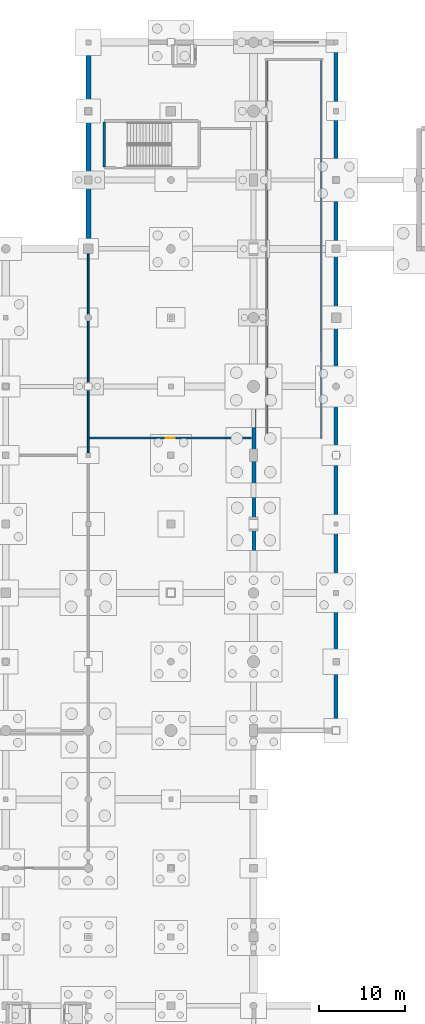
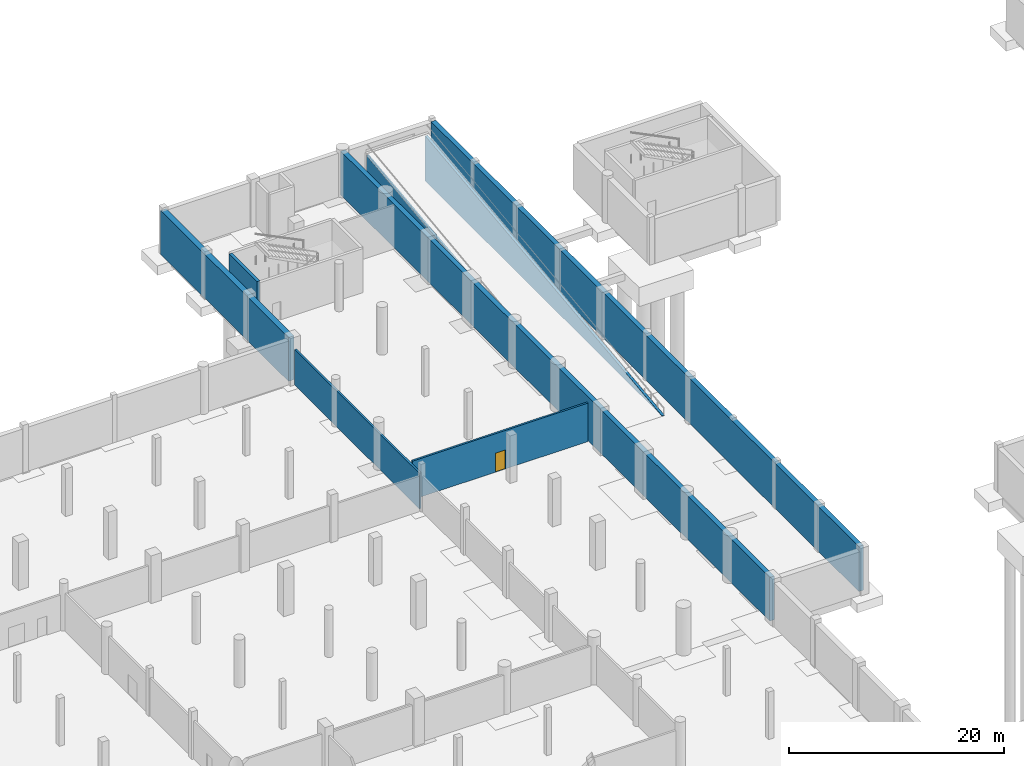
# One storey, part 24 of 44: 8 walls, 1 door, 1 opening.
"""IFC4 building model written with IfcOpenShell, lengths in metres."""

from ifc_helpers import new_model, si_unit, direction, frame, frame_2d, origin, place, context, subcontext, project, spatial, polyline, rectangle, outline, extrude, material, layer, layer_set, type_object, element, fill, save


model = new_model("IFC4")

# Units and contexts
model_context = context("Model", 3, precision=1e-05, world=origin(), true_north=direction((0.0, 1.0)))
body_context = subcontext(model_context, "Body", "Model", "MODEL_VIEW")
ifc_project = project(units=[si_unit("LENGTHUNIT", "METRE"), si_unit("AREAUNIT", "SQUARE_METRE"), si_unit("VOLUMEUNIT", "CUBIC_METRE"), si_unit("PLANEANGLEUNIT", "RADIAN"), si_unit("MASSUNIT", "GRAM", prefix="KILO")], contexts=[model_context])

# Site, building, storey
site_placement = place(None, origin())
site = spatial("IfcSite", under=ifc_project, at=site_placement, CompositionType="ELEMENT")
building_placement = place(site_placement, origin())
building = spatial("IfcBuilding", under=site, at=building_placement, Name="Danafjord Basin Convention Centre", CompositionType="ELEMENT")
storey_placement = place(building_placement, frame((0.0, 0.0, -5.39990234375)))
storey = spatial("IfcBuildingStorey", under=building, at=storey_placement, Name="B1", CompositionType="ELEMENT", Elevation=-5.39990234375)

# Walls
ifc_material_1 = material(Name="Concrete C40/50", Category="concrete")
ifc_layer_1 = layer(ifc_material_1, 0.300048828125)
ifc_layer_set_1 = layer_set([ifc_layer_1], Name="Concrete C40/50")
wall_type_1 = type_object("IfcWallType", Name="WALL-CW-CORE300", PredefinedType="SHEAR", material=ifc_layer_set_1)
wall_1_placement = place(storey_placement, frame((97.85009765625, 126.72509765625, 0.0), z_axis=(0.0, 0.0, 1.0), x_axis=(0.0, -1.0, 0.0)))
element("IfcWall", 1, at=wall_1_placement, inside=storey, type_object=wall_type_1, Name="North Exhibition Core Stair 1 core shear wall (west)", PredefinedType="SHEAR", context=body_context, shape_type="SweptSolid", body=[
    extrude(rectangle(XDim=5.190185546875, YDim=0.300048828125, at=frame_2d((2.59521484375, 0.0))), origin(), (0.0, 0.0, 1.0), 4.97998046875),
])
ifc_layer_2 = layer(ifc_material_1, 0.5)
ifc_layer_set_2 = layer_set([ifc_layer_2], Name="Concrete C40/50")
wall_type_2 = type_object("IfcWallType", Name="WALL-EW-RET500", PredefinedType="SHEAR", material=ifc_layer_set_2)
wall_2_placement = place(storey_placement, frame((115.25, 56.284912109375, 0.0), z_axis=(0.0, 0.0, 1.0), x_axis=(0.0, 1.0, 0.0)))
element("IfcWall", 2, at=wall_2_placement, inside=storey, type_object=wall_type_2, Name="B1 waterproofed basement retaining wall 22", PredefinedType="SHEAR", context=body_context, shape_type="SweptSolid", body=[
    extrude(rectangle(XDim=79.715087890625, YDim=0.5, at=frame_2d((39.857421875, 0.0))), origin(), (0.0, 0.0, 1.0), 4.949951171875),
])
wall_3_placement = place(storey_placement, frame((124.800048828125, 135.715087890625, 0.0), z_axis=(0.0, 0.0, 1.0), x_axis=(0.0, -1.0, 0.0)))
element("IfcWall", 3, at=wall_3_placement, inside=storey, type_object=wall_type_2, Name="B1 waterproofed basement retaining wall 24", PredefinedType="SHEAR", context=body_context, shape_type="SweptSolid", body=[
    extrude(rectangle(XDim=79.43017578125, YDim=0.5, at=frame_2d((39.715087890625, 0.0))), origin(), (0.0, 0.0, 1.0), 5.10986328125),
])
ifc_layer_3 = layer(ifc_material_1, 0.60009765625)
ifc_layer_set_3 = layer_set([ifc_layer_3], Name="Concrete C40/50")
wall_type_3 = type_object("IfcWallType", Name="WALL-EW-RET600", PredefinedType="SHEAR", material=ifc_layer_set_3)
wall_4_placement = place(storey_placement, frame((96.0, 112.235107421875, 0.0), z_axis=(0.0, 0.0, 1.0), x_axis=(0.0, 1.0, 0.0)))
element("IfcWall", 4, at=wall_4_placement, inside=storey, type_object=wall_type_3, Name="B1 waterproofed basement retaining wall 31", PredefinedType="SHEAR", context=body_context, shape_type="SweptSolid", body=[
    extrude(rectangle(XDim=23.764892578125, YDim=0.60009765625, at=frame_2d((11.88232421875, 0.0))), origin(), (0.0, 0.0, 1.0), 4.97998046875),
])
ifc_layer_4 = layer(ifc_material_1, 0.27001953125)
ifc_layer_set_4 = layer_set([ifc_layer_4], Name="Concrete C40/50")
wall_type_4 = type_object("IfcWallType", Name="WALL-RISER-270", PredefinedType="SHEAR", material=ifc_layer_set_4)
for number, where, z_axis, x_axis, name in (
    (5, (116.75, 90.0, 0.0), (0.0, 0.0, 1.0), (0.0, 1.0, 0.0), "Vehicle ramp VR-01 W load-bearing RC cheek wall"),
    (6, (123.050048828125, 90.0, 0.0), (0.0, 0.0, 1.0), (0.0, 1.0, 0.0), "Vehicle ramp VR-01 E load-bearing RC cheek wall"),
):
    element("IfcWall", number, at=place(storey_placement, frame(where, z_axis=z_axis, x_axis=x_axis)), inside=storey, type_object=wall_type_4, Name=name, PredefinedType="SHEAR", context=body_context, shape_type="SweptSolid", body=[
        extrude(outline(polyline([(0.0, 0.0), (44.0, 0.0), (44.0, 5.119873046875), (0.0, 0.0498046875), (0.0, 0.0)])), frame((0.0, 0.135009765625, 0.0), z_axis=(0.0, -1.0, 0.0), x_axis=(1.0, 0.0, 0.0)), (0.0, 0.0, 1.0), 0.27001953125),
    ])
ifc_material_2 = material(Name="Concrete C35/45", Category="concrete")
ifc_layer_5 = layer(ifc_material_2, 0.205078125)
ifc_layer_set_5 = layer_set([ifc_layer_5], Name="Concrete C35/45")
wall_type_5 = type_object("IfcWallType", Name="WALL-W-COMP205", PredefinedType="SOLIDWALL", material=ifc_layer_set_5)
wall_5_placement = place(storey_placement, frame((96.0, 88.280029296875, 0.0), z_axis=(0.0, 0.0, 1.0), x_axis=(0.0, 1.0, 0.0)))
element("IfcWall", 7, at=wall_5_placement, inside=storey, type_object=wall_type_5, Name="Acoustic Partition and Rigging Crate Store east partition", PredefinedType="SOLIDWALL", context=body_context, shape_type="SweptSolid", body=[
    extrude(rectangle(XDim=23.14599609375, YDim=0.205078125, at=frame_2d((11.572998046875, 0.0))), origin(), (0.0, 0.0, 1.0), 4.0498046875),
])

# Wall, opening, door
wall_6_placement = place(storey_placement, frame((96.1064453125, 90.0, 0.0), z_axis=(0.0, 0.0, 1.0), x_axis=(1.0, 0.0, 0.0)))
wall_6 = element("IfcWall", 8, at=wall_6_placement, inside=storey, type_object=wall_type_5, Name="Primary District Cooling Chiller Plant south partition", PredefinedType="SOLIDWALL", context=body_context, shape_type="SweptSolid", body=[
    extrude(rectangle(XDim=18.839599609375, YDim=0.205078125, at=frame_2d((9.419921875, 0.0))), origin(), (0.0, 0.0, 1.0), 4.369873046875),
])
opening_placement = place(wall_6_placement, frame((8.889892578125, 0.0, 0.0)))
opening = element("IfcOpeningElement", 9, at=opening_placement, cuts=wall_6, Name="Opening FD-S06", PredefinedType="OPENING", context=body_context, shape_type="SweptSolid", body=[
    extrude(rectangle(XDim=1.06005859375, YDim=2.159912109375, at=frame_2d((0.530029296875, 1.080078125))), frame((0.0, 0.112548828125, 0.0), z_axis=(0.0, -1.0, 0.0), x_axis=(1.0, 0.0, 0.0)), (0.0, 0.0, 1.0), 0.22509765625),
])
ifc_material_3 = material(Name="Powder-coated steel and Nordic oak", Category="steel")
door_type = type_object("IfcDoorType", Name="DOOR-FD-S06", OperationType="NOTDEFINED", PredefinedType="DOOR", material=ifc_material_3)
door_placement = place(opening_placement, origin())
door = element("IfcDoor", 10, at=door_placement, inside=storey, type_object=door_type, Name="Primary District Cooling Chiller Plant Entrance Door", OperationType="SINGLE_SWING_LEFT", OverallHeight=2.159912109375, OverallWidth=1.06005859375, PredefinedType="DOOR", context=body_context, shape_type="SweptSolid", body=[
    extrude(rectangle(XDim=1.06005859375, YDim=2.159912109375, at=frame_2d((0.530029296875, 1.080078125))), frame((0.0, 0.02490234375, 0.0), z_axis=(0.0, -1.0, 0.0), x_axis=(1.0, 0.0, 0.0)), (0.0, 0.0, 1.0), 0.050048828125),
])
fill(opening, door)

save(model, "model.ifc")
